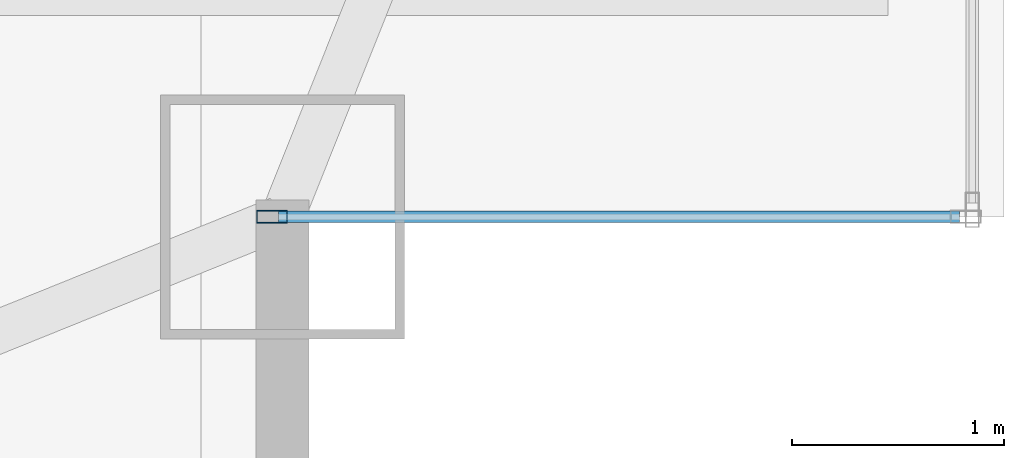
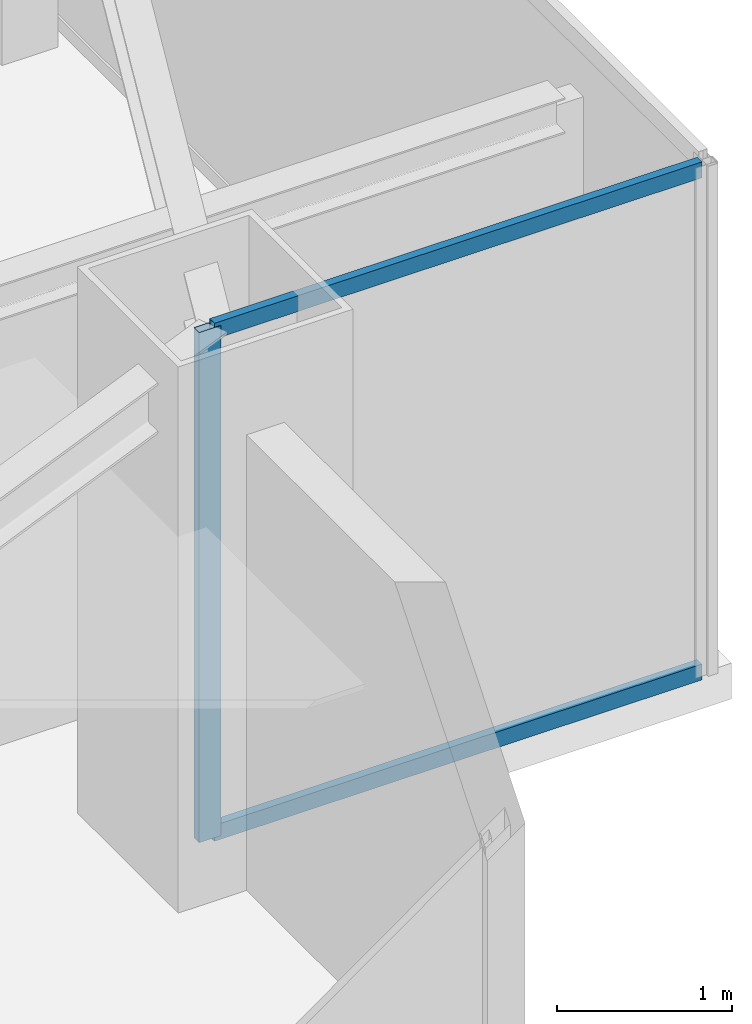
# One storey, part 15 of 30: 3 members, 1 element without a shape of its own.
"""IFC4 building model written with IfcOpenShell, lengths in metres."""

from ifc_helpers import new_model, si_unit, direction, frame, origin, origin_2d, place, context, subcontext, project, spatial, hollow_rectangle, extrude, source, transform, mapped, material, layer, layer_set, material_profile, profile_set, type_object, type_shapes, element, aggregate, save


model = new_model("IFC4")

# Units and contexts
model_context = context("Model", 3, precision=1e-05, world=origin(), true_north=direction((0.0, 1.0)))
body_context = subcontext(model_context, "Body", "Model", "MODEL_VIEW")
ifc_project = project(units=[si_unit("LENGTHUNIT", "METRE"), si_unit("AREAUNIT", "SQUARE_METRE"), si_unit("VOLUMEUNIT", "CUBIC_METRE"), si_unit("PLANEANGLEUNIT", "RADIAN"), si_unit("MASSUNIT", "GRAM", prefix="KILO")], contexts=[model_context])

# Site, building, storey
site_placement = place(None, origin())
site = spatial("IfcSite", under=ifc_project, at=site_placement, CompositionType="ELEMENT")
building_placement = place(site_placement, origin())
building = spatial("IfcBuilding", under=site, at=building_placement, Name="Varnel Quay Broadcast Tower", CompositionType="ELEMENT")
storey_placement = place(building_placement, frame((0.0, 0.0, 207.39990234375)))
storey = spatial("IfcBuildingStorey", under=building, at=storey_placement, Name="L51", CompositionType="ELEMENT", Elevation=207.39990234375)

# Curtain wall, members
ifc_material = material(Name="Anodised Bronze Aluminium 6063-T6", Category="aluminium")
ifc_layer = layer(ifc_material, 0.18994140625, Name="Anodised Bronze Aluminium 6063-T6")
ifc_layer_set = layer_set([ifc_layer], Name="Anodised Bronze Aluminium 6063-T6")
curtain_wall_type = type_object("IfcCurtainWallType", Name="CW_NotchCorner", PredefinedType="NOTDEFINED", material=ifc_layer_set)
curtain_wall_placement = place(storey_placement, origin())
curtain_wall = element("IfcCurtainWall", 1, at=curtain_wall_placement, inside=storey, type_object=curtain_wall_type, Name="L51 SE Notch Curtain Wall", PredefinedType="NOTDEFINED")
ifc_material_profile_1 = material_profile(ifc_material, hollow_rectangle(XDim=0.06005859375, YDim=0.14501953125, WallThickness=0.00341796875, at=origin_2d()), Name="ALU60X145X3.5")
ifc_profile_set_1 = profile_set([ifc_material_profile_1], Name="Anodised Bronze Aluminium 6063-T6")
member_type_1 = type_object("IfcMemberType", Name="Mull_CWS-04", PredefinedType="MULLION", material=ifc_profile_set_1)
shared_shape_1 = source(origin(), body_context, "Body", "SweptSolid", [
    extrude(hollow_rectangle(XDim=0.06005859375, YDim=0.14501953125, WallThickness=0.00341796875, at=origin_2d()), origin(), (0.0, 0.0, 1.0), 3.550048828125),
])
type_shapes(member_type_1, [shared_shape_1])
member_1_placement = place(storey_placement, frame((55.050048828125, 13.60009765625, 0.0), z_axis=(0.0, 0.0, 1.0), x_axis=(0.0, 1.0, 0.0)))
member_1 = element("IfcMember", 2, at=member_1_placement, type_object=member_type_1, Name="CWS-04 mullion 1", PredefinedType="MULLION", context=body_context, shape_type="MappedRepresentation", body=[
    mapped(shared_shape_1, transform((0.0, 0.0, 0.0), x_axis=(1.0, 0.0, 0.0), y_axis=(0.0, 1.0, 0.0), z_axis=(0.0, 0.0, 1.0), scale=1.0)),
])
ifc_material_profile_2 = material_profile(ifc_material, hollow_rectangle(XDim=0.054931640625, YDim=0.110107421875, WallThickness=0.0029296875, at=origin_2d()), Name="ALU55X110X3")
ifc_profile_set_2 = profile_set([ifc_material_profile_2], Name="Anodised Bronze Aluminium 6063-T6")
member_type_2 = type_object("IfcMemberType", Name="Tran_CWS-04", PredefinedType="USERDEFINED", material=ifc_profile_set_2)
shared_shape_2 = source(origin(), body_context, "Body", "SweptSolid", [
    extrude(hollow_rectangle(XDim=0.054931640625, YDim=0.110107421875, WallThickness=0.0029296875, at=origin_2d()), origin(), (0.0, 0.0, 1.0), 3.2099609375),
])
type_shapes(member_type_2, [shared_shape_2])
member_2_placement = place(storey_placement, frame((55.080078125, 13.60009765625, 0.027587890625), z_axis=(1.0, 0.0, 0.0), x_axis=(0.0, 1.0, 0.0)))
member_2 = element("IfcMember", 3, at=member_2_placement, type_object=member_type_2, Name="CWS-04 transom 1.1", ObjectType="TRANSOM", PredefinedType="USERDEFINED", context=body_context, shape_type="MappedRepresentation", body=[
    mapped(shared_shape_2, transform((0.0, 0.0, 0.0), x_axis=(1.0, 0.0, 0.0), y_axis=(0.0, 1.0, 0.0), z_axis=(0.0, 0.0, 1.0), scale=1.0)),
])
member_3_placement = place(storey_placement, frame((55.080078125, 13.60009765625, 3.522705078125), z_axis=(1.0, 0.0, 0.0), x_axis=(0.0, 1.0, 0.0)))
member_3 = element("IfcMember", 4, at=member_3_placement, type_object=member_type_2, Name="CWS-04 transom 1.2", ObjectType="TRANSOM", PredefinedType="USERDEFINED", context=body_context, shape_type="MappedRepresentation", body=[
    mapped(shared_shape_2, transform((0.0, 0.0, 0.0), x_axis=(1.0, 0.0, 0.0), y_axis=(0.0, 1.0, 0.0), z_axis=(0.0, 0.0, 1.0), scale=1.0)),
])
aggregate(curtain_wall, [member_1, member_2, member_3])

save(model, "model.ifc")
